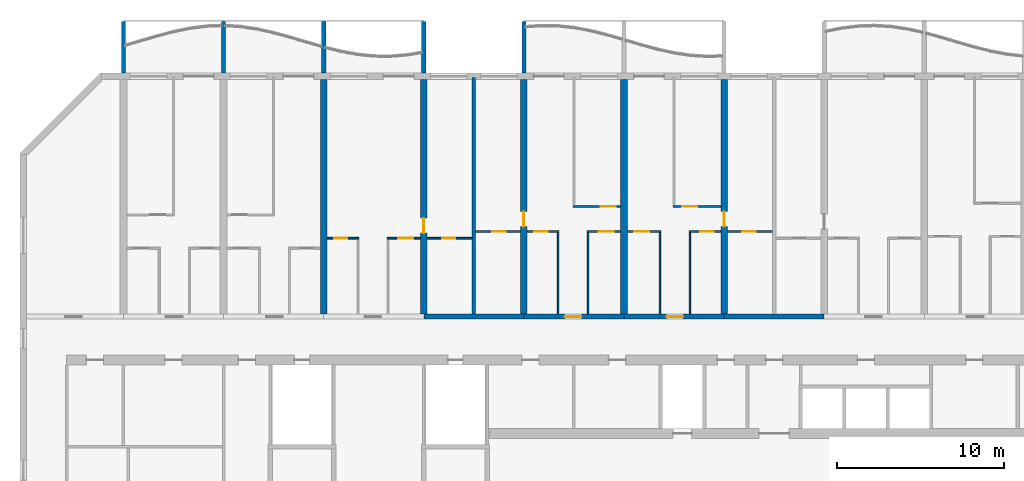
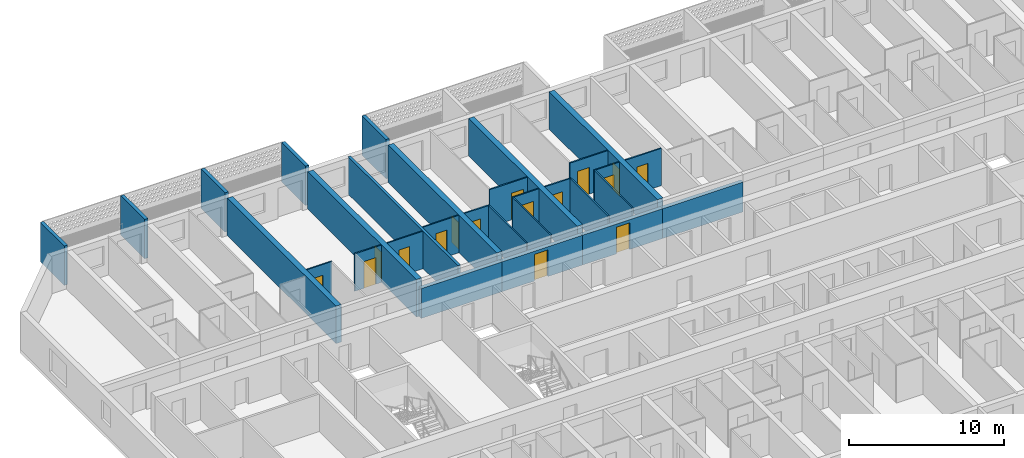
# One storey, part 10 of 39: 30 walls, 16 doors, 16 openings.
"""IFC4 building model written with IfcOpenShell, lengths in metres."""

from ifc_helpers import new_model, si_unit, direction, frame, frame_2d, origin, place, context, subcontext, project, spatial, polyline, rectangle, outline, extrude, source, transform, mapped, material, layer, layer_set, type_object, element, fill, save


model = new_model("IFC4")

# Units and contexts
model_context = context("Model", 3, precision=1e-05, world=origin(), true_north=direction((0.0, 1.0)))
body_context = subcontext(model_context, "Body", "Model", "MODEL_VIEW")
ifc_project = project(units=[si_unit("LENGTHUNIT", "METRE"), si_unit("AREAUNIT", "SQUARE_METRE"), si_unit("VOLUMEUNIT", "CUBIC_METRE"), si_unit("PLANEANGLEUNIT", "RADIAN"), si_unit("MASSUNIT", "GRAM", prefix="KILO")], contexts=[model_context])

# Site, building, storey
site_placement = place(None, origin())
site = spatial("IfcSite", under=ifc_project, at=site_placement, CompositionType="ELEMENT")
building_placement = place(site_placement, origin())
building = spatial("IfcBuilding", under=site, at=building_placement, Name="Poui Terraces", CompositionType="ELEMENT")
storey_placement = place(building_placement, frame((0.0, 0.0, 63.0)))
storey = spatial("IfcBuildingStorey", under=building, at=storey_placement, Name="L17", CompositionType="ELEMENT", Elevation=63.0)

# Wall
ifc_material_1 = material(Name="Concrete 80 MPa", Category="concrete")
ifc_layer_1 = layer(ifc_material_1, 0.300048828125)
ifc_layer_set_1 = layer_set([ifc_layer_1], Name="Concrete 80 MPa")
wall_type_1 = type_object("IfcWallType", Name="CORRIDOR WALL 300 80MPa", PredefinedType="SHEAR", material=ifc_layer_set_1)
wall_1_placement = place(storey_placement, frame((30.0, 30.39990234375, 0.0), z_axis=(0.0, 0.0, 1.0), x_axis=(1.0, 0.0, 0.0)))
element("IfcWall", 1, at=wall_1_placement, inside=storey, type_object=wall_type_1, Name="CORRIDOR WALL LINE E BAY 5", PredefinedType="SHEAR", context=body_context, shape_type="SweptSolid", body=[
    extrude(rectangle(XDim=6.0, YDim=0.300048828125, at=frame_2d((3.0, 0.0))), origin(), (0.0, 0.0, 1.0), 2.35009765625),
])

# Wall, opening, door
wall_2_placement = place(storey_placement, frame((36.0, 30.39990234375, 0.0), z_axis=(0.0, 0.0, 1.0), x_axis=(1.0, 0.0, 0.0)))
wall_2 = element("IfcWall", 2, at=wall_2_placement, inside=storey, type_object=wall_type_1, Name="CORRIDOR WALL LINE E BAY 6", PredefinedType="SHEAR", context=body_context, shape_type="SweptSolid", body=[
    extrude(rectangle(XDim=6.0, YDim=0.300048828125, at=frame_2d((3.0, 0.0))), origin(), (0.0, 0.0, 1.0), 2.35009765625),
])
opening_1_placement = place(wall_2_placement, frame((2.449951171875, 0.0, 0.0)))
opening_1 = element("IfcOpeningElement", 3, at=opening_1_placement, cuts=wall_2, Name="Opening FD30S", PredefinedType="OPENING", context=body_context, shape_type="SweptSolid", body=[
    extrude(rectangle(XDim=1.0, YDim=2.10009765625, at=frame_2d((0.5, 1.050048828125))), frame((0.0, 0.16015625, 0.0), z_axis=(0.0, -1.0, 0.0), x_axis=(1.0, 0.0, 0.0)), (0.0, 0.0, 1.0), 0.320068359375),
])
ifc_material_2 = material(Name="Steel fire door", Category="steel")
door_type_1 = type_object("IfcDoorType", Name="FLAT ENTRANCE DOOR 1000 X 2100", OperationType="NOTDEFINED", PredefinedType="DOOR", material=ifc_material_2)
door_1_placement = place(opening_1_placement, origin())
door_1 = element("IfcDoor", 4, at=door_1_placement, inside=storey, type_object=door_type_1, Name="FLAT ENTRANCE DOOR 049", OperationType="SINGLE_SWING_LEFT", OverallHeight=2.10009765625, OverallWidth=1.0, PredefinedType="DOOR", context=body_context, shape_type="SweptSolid", body=[
    extrude(rectangle(XDim=1.0, YDim=2.10009765625, at=frame_2d((0.5, 1.050048828125))), frame((0.0, 0.02490234375, 0.0), z_axis=(0.0, -1.0, 0.0), x_axis=(1.0, 0.0, 0.0)), (0.0, 0.0, 1.0), 0.050048828125),
])
fill(opening_1, door_1)

wall_3_placement = place(storey_placement, frame((42.0, 30.39990234375, 0.0), z_axis=(0.0, 0.0, 1.0), x_axis=(1.0, 0.0, 0.0)))
wall_3 = element("IfcWall", 5, at=wall_3_placement, inside=storey, type_object=wall_type_1, Name="CORRIDOR WALL LINE E BAY 7", PredefinedType="SHEAR", context=body_context, shape_type="SweptSolid", body=[
    extrude(rectangle(XDim=6.0, YDim=0.300048828125, at=frame_2d((3.0, 0.0))), origin(), (0.0, 0.0, 1.0), 2.35009765625),
])
opening_2_placement = place(wall_3_placement, frame((2.550048828125, 0.0, 0.0)))
opening_2 = element("IfcOpeningElement", 6, at=opening_2_placement, cuts=wall_3, Name="Opening FD30S", PredefinedType="OPENING", context=body_context, shape_type="SweptSolid", body=[
    extrude(rectangle(XDim=1.0, YDim=2.10009765625, at=frame_2d((0.5, 1.050048828125))), frame((0.0, 0.16015625, 0.0), z_axis=(0.0, -1.0, 0.0), x_axis=(1.0, 0.0, 0.0)), (0.0, 0.0, 1.0), 0.320068359375),
])
door_2_placement = place(opening_2_placement, origin())
door_2 = element("IfcDoor", 7, at=door_2_placement, inside=storey, type_object=door_type_1, Name="FLAT ENTRANCE DOOR 054", OperationType="SINGLE_SWING_RIGHT", OverallHeight=2.10009765625, OverallWidth=1.0, PredefinedType="DOOR", context=body_context, shape_type="SweptSolid", body=[
    extrude(rectangle(XDim=1.0, YDim=2.10009765625, at=frame_2d((0.5, 1.050048828125))), frame((0.0, 0.02490234375, 0.0), z_axis=(0.0, -1.0, 0.0), x_axis=(1.0, 0.0, 0.0)), (0.0, 0.0, 1.0), 0.050048828125),
])
fill(opening_2, door_2)

# Walls
wall_4_placement = place(storey_placement, frame((48.0, 30.39990234375, 0.0), z_axis=(0.0, 0.0, 1.0), x_axis=(1.0, 0.0, 0.0)))
element("IfcWall", 8, at=wall_4_placement, inside=storey, type_object=wall_type_1, Name="CORRIDOR WALL LINE E BAY 8", PredefinedType="SHEAR", context=body_context, shape_type="SweptSolid", body=[
    extrude(rectangle(XDim=6.0, YDim=0.300048828125, at=frame_2d((3.0, 0.0))), origin(), (0.0, 0.0, 1.0), 2.35009765625),
])
ifc_layer_2 = layer(ifc_material_1, 0.39990234375)
ifc_layer_set_2 = layer_set([ifc_layer_2], Name="Concrete 80 MPa")
wall_type_2 = type_object("IfcWallType", Name="CROSS WALL 400 80MPa", PredefinedType="SHEAR", material=ifc_layer_set_2)
wall_5_placement = place(storey_placement, frame((24.0, 30.550048828125, 0.0), z_axis=(0.0, 0.0, 1.0), x_axis=(0.0, 1.0, 0.0)))
element("IfcWall", 9, at=wall_5_placement, inside=storey, type_object=wall_type_2, Name="CROSS WALL LINE 5 NORTH", PredefinedType="SHEAR", context=body_context, shape_type="SweptSolid", body=[
    extrude(rectangle(XDim=14.050048828125, YDim=0.39990234375, at=frame_2d((7.02490234375, 0.0))), origin(), (0.0, 0.0, 1.0), 2.949951171875),
])

# Wall, opening, door
wall_6_placement = place(storey_placement, frame((30.0, 30.550048828125, 0.0), z_axis=(0.0, 0.0, 1.0), x_axis=(0.0, 1.0, 0.0)))
wall_6 = element("IfcWall", 10, at=wall_6_placement, inside=storey, type_object=wall_type_2, Name="CROSS WALL LINE 6 NORTH", PredefinedType="SHEAR", context=body_context, shape_type="SweptSolid", body=[
    extrude(rectangle(XDim=14.050048828125, YDim=0.39990234375, at=frame_2d((7.02490234375, 0.0))), origin(), (0.0, 0.0, 1.0), 2.949951171875),
])
opening_3_placement = place(wall_6_placement, frame((4.85009765625, 0.0, 0.0)))
opening_3 = element("IfcOpeningElement", 11, at=opening_3_placement, cuts=wall_6, Name="Opening D90", PredefinedType="OPENING", context=body_context, shape_type="SweptSolid", body=[
    extrude(rectangle(XDim=0.89990234375, YDim=2.10009765625, at=frame_2d((0.449951171875, 1.050048828125))), frame((0.0, 0.2099609375, 0.0), z_axis=(0.0, -1.0, 0.0), x_axis=(1.0, 0.0, 0.0)), (0.0, 0.0, 1.0), 0.419921875),
])
ifc_material_3 = material(Name="Solid core timber door", Category="wood")
door_type_2 = type_object("IfcDoorType", Name="INTERNAL DOOR 900 X 2100", OperationType="NOTDEFINED", PredefinedType="DOOR", material=ifc_material_3)
door_3_placement = place(opening_3_placement, frame((0.89990234375, 0.0, 0.0), z_axis=(0.0, 0.0, 1.0), x_axis=(-1.0, 0.0, 0.0)))
door_3 = element("IfcDoor", 12, at=door_3_placement, inside=storey, type_object=door_type_2, Name="INTERNAL DOOR 045", OperationType="SINGLE_SWING_RIGHT", OverallHeight=2.10009765625, OverallWidth=0.89990234375, PredefinedType="DOOR", context=body_context, shape_type="SweptSolid", body=[
    extrude(rectangle(XDim=0.89990234375, YDim=2.10009765625, at=frame_2d((0.449951171875, 1.050048828125))), frame((0.0, 0.02490234375, 0.0), z_axis=(0.0, -1.0, 0.0), x_axis=(1.0, 0.0, 0.0)), (0.0, 0.0, 1.0), 0.050048828125),
])
fill(opening_3, door_3)

wall_7_placement = place(storey_placement, frame((36.0, 30.550048828125, 0.0), z_axis=(0.0, 0.0, 1.0), x_axis=(0.0, 1.0, 0.0)))
wall_7 = element("IfcWall", 13, at=wall_7_placement, inside=storey, type_object=wall_type_2, Name="CROSS WALL LINE 7 NORTH", PredefinedType="SHEAR", context=body_context, shape_type="SweptSolid", body=[
    extrude(rectangle(XDim=14.050048828125, YDim=0.39990234375, at=frame_2d((7.02490234375, 0.0))), origin(), (0.0, 0.0, 1.0), 2.949951171875),
])
opening_4_placement = place(wall_7_placement, frame((5.25, 0.0, 0.0)))
opening_4 = element("IfcOpeningElement", 14, at=opening_4_placement, cuts=wall_7, Name="Opening D90", PredefinedType="OPENING", context=body_context, shape_type="SweptSolid", body=[
    extrude(rectangle(XDim=0.89990234375, YDim=2.10009765625, at=frame_2d((0.449951171875, 1.050048828125))), frame((0.0, 0.2099609375, 0.0), z_axis=(0.0, -1.0, 0.0), x_axis=(1.0, 0.0, 0.0)), (0.0, 0.0, 1.0), 0.419921875),
])
door_4_placement = place(opening_4_placement, origin())
door_4 = element("IfcDoor", 15, at=door_4_placement, inside=storey, type_object=door_type_2, Name="INTERNAL DOOR 047", OperationType="SINGLE_SWING_LEFT", OverallHeight=2.10009765625, OverallWidth=0.89990234375, PredefinedType="DOOR", context=body_context, shape_type="SweptSolid", body=[
    extrude(rectangle(XDim=0.89990234375, YDim=2.10009765625, at=frame_2d((0.449951171875, 1.050048828125))), frame((0.0, 0.02490234375, 0.0), z_axis=(0.0, -1.0, 0.0), x_axis=(1.0, 0.0, 0.0)), (0.0, 0.0, 1.0), 0.050048828125),
])
fill(opening_4, door_4)

# Wall
wall_8_placement = place(storey_placement, frame((42.0, 30.550048828125, 0.0), z_axis=(0.0, 0.0, 1.0), x_axis=(0.0, 1.0, 0.0)))
element("IfcWall", 16, at=wall_8_placement, inside=storey, type_object=wall_type_2, Name="CROSS WALL LINE 8 NORTH", PredefinedType="SHEAR", context=body_context, shape_type="SweptSolid", body=[
    extrude(rectangle(XDim=14.050048828125, YDim=0.39990234375, at=frame_2d((7.02490234375, 0.0))), origin(), (0.0, 0.0, 1.0), 2.949951171875),
])

# Wall, opening, door
wall_9_placement = place(storey_placement, frame((48.0, 30.550048828125, 0.0), z_axis=(0.0, 0.0, 1.0), x_axis=(0.0, 1.0, 0.0)))
wall_9 = element("IfcWall", 17, at=wall_9_placement, inside=storey, type_object=wall_type_2, Name="CROSS WALL LINE 9 NORTH", PredefinedType="SHEAR", context=body_context, shape_type="SweptSolid", body=[
    extrude(rectangle(XDim=14.050048828125, YDim=0.39990234375, at=frame_2d((7.02490234375, 0.0))), origin(), (0.0, 0.0, 1.0), 2.949951171875),
])
opening_5_placement = place(wall_9_placement, frame((5.25, 0.0, 0.0)))
opening_5 = element("IfcOpeningElement", 18, at=opening_5_placement, cuts=wall_9, Name="Opening D90", PredefinedType="OPENING", context=body_context, shape_type="SweptSolid", body=[
    extrude(rectangle(XDim=0.89990234375, YDim=2.10009765625, at=frame_2d((0.449951171875, 1.050048828125))), frame((0.0, 0.2099609375, 0.0), z_axis=(0.0, -1.0, 0.0), x_axis=(1.0, 0.0, 0.0)), (0.0, 0.0, 1.0), 0.419921875),
])
door_5_placement = place(opening_5_placement, frame((0.89990234375, 0.0, 0.0), z_axis=(0.0, 0.0, 1.0), x_axis=(-1.0, 0.0, 0.0)))
door_5 = element("IfcDoor", 19, at=door_5_placement, inside=storey, type_object=door_type_2, Name="INTERNAL DOOR 057", OperationType="SINGLE_SWING_RIGHT", OverallHeight=2.10009765625, OverallWidth=0.89990234375, PredefinedType="DOOR", context=body_context, shape_type="SweptSolid", body=[
    extrude(rectangle(XDim=0.89990234375, YDim=2.10009765625, at=frame_2d((0.449951171875, 1.050048828125))), frame((0.0, 0.02490234375, 0.0), z_axis=(0.0, -1.0, 0.0), x_axis=(1.0, 0.0, 0.0)), (0.0, 0.0, 1.0), 0.050048828125),
])
fill(opening_5, door_5)

ifc_material_4 = material(Name="Plasterboard partition")
ifc_layer_3 = layer(ifc_material_4, 0.10009765625)
ifc_layer_set_3 = layer_set([ifc_layer_3], Name="Plasterboard partition")
wall_type_3 = type_object("IfcWallType", Name="FLAT PARTITION 100", PredefinedType="PARTITIONING", material=ifc_layer_set_3)
wall_10_placement = place(storey_placement, frame((24.2099609375, 35.10009765625, 0.0), z_axis=(0.0, 0.0, 1.0), x_axis=(1.0, 0.0, 0.0)))
wall_10 = element("IfcWall", 20, at=wall_10_placement, inside=storey, type_object=wall_type_3, Name="FLAT PARTITION 100", PredefinedType="PARTITIONING", context=body_context, shape_type="SweptSolid", body=[
    extrude(rectangle(XDim=1.89013671875, YDim=0.10009765625, at=frame_2d((0.945068359375, 0.0))), origin(), (0.0, 0.0, 1.0), 2.949951171875),
])
opening_6_placement = place(wall_10_placement, frame((0.4150390625, 0.0, 0.0)))
opening_6 = element("IfcOpeningElement", 21, at=opening_6_placement, cuts=wall_10, Name="Opening D80", PredefinedType="OPENING", context=body_context, shape_type="SweptSolid", body=[
    extrude(rectangle(XDim=0.800048828125, YDim=2.10009765625, at=frame_2d((0.39990234375, 1.050048828125))), frame((0.0, 0.06005859375, 0.0), z_axis=(0.0, -1.0, 0.0), x_axis=(1.0, 0.0, 0.0)), (0.0, 0.0, 1.0), 0.1201171875),
])
door_type_3 = type_object("IfcDoorType", Name="BATHROOM, LAUNDRY AND STORE DOOR 800 X 2100", OperationType="NOTDEFINED", PredefinedType="DOOR", material=ifc_material_3)
door_6_placement = place(opening_6_placement, frame((0.800048828125, 0.0, 0.0), z_axis=(0.0, 0.0, 1.0), x_axis=(-1.0, 0.0, 0.0)))
door_6 = element("IfcDoor", 22, at=door_6_placement, inside=storey, type_object=door_type_3, Name="BATHROOM, LAUNDRY AND STORE DOOR 042", OperationType="SINGLE_SWING_RIGHT", OverallHeight=2.10009765625, OverallWidth=0.800048828125, PredefinedType="DOOR", context=body_context, shape_type="SweptSolid", body=[
    extrude(rectangle(XDim=0.800048828125, YDim=2.10009765625, at=frame_2d((0.39990234375, 1.050048828125))), frame((0.0, 0.02490234375, 0.0), z_axis=(0.0, -1.0, 0.0), x_axis=(1.0, 0.0, 0.0)), (0.0, 0.0, 1.0), 0.050048828125),
])
fill(opening_6, door_6)

wall_11_placement = place(storey_placement, frame((27.800048828125, 35.10009765625, 0.0), z_axis=(0.0, 0.0, 1.0), x_axis=(1.0, 0.0, 0.0)))
wall_11 = element("IfcWall", 23, at=wall_11_placement, inside=storey, type_object=wall_type_3, Name="FLAT PARTITION 100", PredefinedType="PARTITIONING", context=body_context, shape_type="SweptSolid", body=[
    extrude(rectangle(XDim=1.989990234375, YDim=0.10009765625, at=frame_2d((0.9951171875, 0.0))), origin(), (0.0, 0.0, 1.0), 2.949951171875),
])
opening_7_placement = place(wall_11_placement, frame((0.675048828125, 0.0, 0.0)))
opening_7 = element("IfcOpeningElement", 24, at=opening_7_placement, cuts=wall_11, Name="Opening D90", PredefinedType="OPENING", context=body_context, shape_type="SweptSolid", body=[
    extrude(rectangle(XDim=0.89990234375, YDim=2.10009765625, at=frame_2d((0.449951171875, 1.050048828125))), frame((0.0, 0.06005859375, 0.0), z_axis=(0.0, -1.0, 0.0), x_axis=(1.0, 0.0, 0.0)), (0.0, 0.0, 1.0), 0.1201171875),
])
door_7_placement = place(opening_7_placement, frame((0.89990234375, 0.0, 0.0), z_axis=(0.0, 0.0, 1.0), x_axis=(-1.0, 0.0, 0.0)))
door_7 = element("IfcDoor", 25, at=door_7_placement, inside=storey, type_object=door_type_2, Name="INTERNAL DOOR 044", OperationType="SINGLE_SWING_LEFT", OverallHeight=2.10009765625, OverallWidth=0.89990234375, PredefinedType="DOOR", context=body_context, shape_type="SweptSolid", body=[
    extrude(rectangle(XDim=0.89990234375, YDim=2.10009765625, at=frame_2d((0.449951171875, 1.050048828125))), frame((0.0, 0.02490234375, 0.0), z_axis=(0.0, -1.0, 0.0), x_axis=(1.0, 0.0, 0.0)), (0.0, 0.0, 1.0), 0.050048828125),
])
fill(opening_7, door_7)

wall_12_placement = place(storey_placement, frame((30.2099609375, 35.10009765625, 0.0), z_axis=(0.0, 0.0, 1.0), x_axis=(1.0, 0.0, 0.0)))
wall_12 = element("IfcWall", 26, at=wall_12_placement, inside=storey, type_object=wall_type_3, Name="FLAT PARTITION 100", PredefinedType="PARTITIONING", context=body_context, shape_type="SweptSolid", body=[
    extrude(rectangle(XDim=2.68994140625, YDim=0.10009765625, at=frame_2d((1.344970703125, 0.0))), origin(), (0.0, 0.0, 1.0), 2.949951171875),
])
opening_8_placement = place(wall_12_placement, frame((0.889892578125, 0.0, 0.0)))
opening_8 = element("IfcOpeningElement", 27, at=opening_8_placement, cuts=wall_12, Name="Opening D80", PredefinedType="OPENING", context=body_context, shape_type="SweptSolid", body=[
    extrude(rectangle(XDim=0.800048828125, YDim=2.10009765625, at=frame_2d((0.39990234375, 1.050048828125))), frame((0.0, 0.06005859375, 0.0), z_axis=(0.0, -1.0, 0.0), x_axis=(1.0, 0.0, 0.0)), (0.0, 0.0, 1.0), 0.1201171875),
])
door_8_placement = place(opening_8_placement, frame((0.800048828125, 0.0, 0.0), z_axis=(0.0, 0.0, 1.0), x_axis=(-1.0, 0.0, 0.0)))
door_8 = element("IfcDoor", 28, at=door_8_placement, inside=storey, type_object=door_type_3, Name="BATHROOM, LAUNDRY AND STORE DOOR 041", OperationType="SINGLE_SWING_LEFT", OverallHeight=2.10009765625, OverallWidth=0.800048828125, PredefinedType="DOOR", context=body_context, shape_type="SweptSolid", body=[
    extrude(rectangle(XDim=0.800048828125, YDim=2.10009765625, at=frame_2d((0.39990234375, 1.050048828125))), frame((0.0, 0.02490234375, 0.0), z_axis=(0.0, -1.0, 0.0), x_axis=(1.0, 0.0, 0.0)), (0.0, 0.0, 1.0), 0.050048828125),
])
fill(opening_8, door_8)

wall_13_placement = place(storey_placement, frame((33.10009765625, 35.5, 0.0), z_axis=(0.0, 0.0, 1.0), x_axis=(1.0, 0.0, 0.0)))
wall_13 = element("IfcWall", 29, at=wall_13_placement, inside=storey, type_object=wall_type_3, Name="FLAT PARTITION 100", PredefinedType="PARTITIONING", context=body_context, shape_type="SweptSolid", body=[
    extrude(rectangle(XDim=2.68994140625, YDim=0.10009765625, at=frame_2d((1.344970703125, 0.0))), origin(), (0.0, 0.0, 1.0), 2.949951171875),
])
opening_9_placement = place(wall_13_placement, frame((1.0, 0.0, 0.0)))
opening_9 = element("IfcOpeningElement", 30, at=opening_9_placement, cuts=wall_13, Name="Opening D80", PredefinedType="OPENING", context=body_context, shape_type="SweptSolid", body=[
    extrude(rectangle(XDim=0.800048828125, YDim=2.10009765625, at=frame_2d((0.39990234375, 1.050048828125))), frame((0.0, 0.06005859375, 0.0), z_axis=(0.0, -1.0, 0.0), x_axis=(1.0, 0.0, 0.0)), (0.0, 0.0, 1.0), 0.1201171875),
])
door_9_placement = place(opening_9_placement, frame((0.800048828125, 0.0, 0.0), z_axis=(0.0, 0.0, 1.0), x_axis=(-1.0, 0.0, 0.0)))
door_9 = element("IfcDoor", 31, at=door_9_placement, inside=storey, type_object=door_type_3, Name="BATHROOM, LAUNDRY AND STORE DOOR 046", OperationType="SINGLE_SWING_RIGHT", OverallHeight=2.10009765625, OverallWidth=0.800048828125, PredefinedType="DOOR", context=body_context, shape_type="SweptSolid", body=[
    extrude(rectangle(XDim=0.800048828125, YDim=2.10009765625, at=frame_2d((0.39990234375, 1.050048828125))), frame((0.0, 0.02490234375, 0.0), z_axis=(0.0, -1.0, 0.0), x_axis=(1.0, 0.0, 0.0)), (0.0, 0.0, 1.0), 0.050048828125),
])
fill(opening_9, door_9)

wall_14_placement = place(storey_placement, frame((36.2099609375, 35.5, 0.0), z_axis=(0.0, 0.0, 1.0), x_axis=(1.0, 0.0, 0.0)))
wall_14 = element("IfcWall", 32, at=wall_14_placement, inside=storey, type_object=wall_type_3, Name="FLAT PARTITION 100", PredefinedType="PARTITIONING", context=body_context, shape_type="SweptSolid", body=[
    extrude(rectangle(XDim=1.89013671875, YDim=0.10009765625, at=frame_2d((0.945068359375, 0.0))), origin(), (0.0, 0.0, 1.0), 2.949951171875),
])
opening_10_placement = place(wall_14_placement, frame((0.4150390625, 0.0, 0.0)))
opening_10 = element("IfcOpeningElement", 33, at=opening_10_placement, cuts=wall_14, Name="Opening D80", PredefinedType="OPENING", context=body_context, shape_type="SweptSolid", body=[
    extrude(rectangle(XDim=0.800048828125, YDim=2.10009765625, at=frame_2d((0.39990234375, 1.050048828125))), frame((0.0, 0.06005859375, 0.0), z_axis=(0.0, -1.0, 0.0), x_axis=(1.0, 0.0, 0.0)), (0.0, 0.0, 1.0), 0.1201171875),
])
door_10_placement = place(opening_10_placement, frame((0.800048828125, 0.0, 0.0), z_axis=(0.0, 0.0, 1.0), x_axis=(-1.0, 0.0, 0.0)))
door_10 = element("IfcDoor", 34, at=door_10_placement, inside=storey, type_object=door_type_3, Name="BATHROOM, LAUNDRY AND STORE DOOR 048", OperationType="SINGLE_SWING_RIGHT", OverallHeight=2.10009765625, OverallWidth=0.800048828125, PredefinedType="DOOR", context=body_context, shape_type="SweptSolid", body=[
    extrude(rectangle(XDim=0.800048828125, YDim=2.10009765625, at=frame_2d((0.39990234375, 1.050048828125))), frame((0.0, 0.02490234375, 0.0), z_axis=(0.0, -1.0, 0.0), x_axis=(1.0, 0.0, 0.0)), (0.0, 0.0, 1.0), 0.050048828125),
])
fill(opening_10, door_10)

wall_15_placement = place(storey_placement, frame((39.800048828125, 35.5, 0.0), z_axis=(0.0, 0.0, 1.0), x_axis=(1.0, 0.0, 0.0)))
wall_15 = element("IfcWall", 35, at=wall_15_placement, inside=storey, type_object=wall_type_3, Name="FLAT PARTITION 100", PredefinedType="PARTITIONING", context=body_context, shape_type="SweptSolid", body=[
    extrude(rectangle(XDim=1.989990234375, YDim=0.10009765625, at=frame_2d((0.9951171875, 0.0))), origin(), (0.0, 0.0, 1.0), 2.949951171875),
])
opening_11_placement = place(wall_15_placement, frame((0.675048828125, 0.0, 0.0)))
opening_11 = element("IfcOpeningElement", 36, at=opening_11_placement, cuts=wall_15, Name="Opening D90", PredefinedType="OPENING", context=body_context, shape_type="SweptSolid", body=[
    extrude(rectangle(XDim=0.89990234375, YDim=2.10009765625, at=frame_2d((0.449951171875, 1.050048828125))), frame((0.0, 0.06005859375, 0.0), z_axis=(0.0, -1.0, 0.0), x_axis=(1.0, 0.0, 0.0)), (0.0, 0.0, 1.0), 0.1201171875),
])
door_11_placement = place(opening_11_placement, frame((0.89990234375, 0.0, 0.0), z_axis=(0.0, 0.0, 1.0), x_axis=(-1.0, 0.0, 0.0)))
door_11 = element("IfcDoor", 37, at=door_11_placement, inside=storey, type_object=door_type_2, Name="INTERNAL DOOR 050", OperationType="SINGLE_SWING_LEFT", OverallHeight=2.10009765625, OverallWidth=0.89990234375, PredefinedType="DOOR", context=body_context, shape_type="SweptSolid", body=[
    extrude(rectangle(XDim=0.89990234375, YDim=2.10009765625, at=frame_2d((0.449951171875, 1.050048828125))), frame((0.0, 0.02490234375, 0.0), z_axis=(0.0, -1.0, 0.0), x_axis=(1.0, 0.0, 0.0)), (0.0, 0.0, 1.0), 0.050048828125),
])
fill(opening_11, door_11)

wall_16_placement = place(storey_placement, frame((42.2099609375, 35.5, 0.0), z_axis=(0.0, 0.0, 1.0), x_axis=(1.0, 0.0, 0.0)))
wall_16 = element("IfcWall", 38, at=wall_16_placement, inside=storey, type_object=wall_type_3, Name="FLAT PARTITION 100", PredefinedType="PARTITIONING", context=body_context, shape_type="SweptSolid", body=[
    extrude(rectangle(XDim=1.989990234375, YDim=0.10009765625, at=frame_2d((0.9951171875, 0.0))), origin(), (0.0, 0.0, 1.0), 2.949951171875),
])
opening_12_placement = place(wall_16_placement, frame((0.4150390625, 0.0, 0.0)))
opening_12 = element("IfcOpeningElement", 39, at=opening_12_placement, cuts=wall_16, Name="Opening D90", PredefinedType="OPENING", context=body_context, shape_type="SweptSolid", body=[
    extrude(rectangle(XDim=0.89990234375, YDim=2.10009765625, at=frame_2d((0.449951171875, 1.050048828125))), frame((0.0, 0.06005859375, 0.0), z_axis=(0.0, -1.0, 0.0), x_axis=(1.0, 0.0, 0.0)), (0.0, 0.0, 1.0), 0.1201171875),
])
door_12_placement = place(opening_12_placement, frame((0.89990234375, 0.0, 0.0), z_axis=(0.0, 0.0, 1.0), x_axis=(-1.0, 0.0, 0.0)))
door_12 = element("IfcDoor", 40, at=door_12_placement, inside=storey, type_object=door_type_2, Name="INTERNAL DOOR 053", OperationType="SINGLE_SWING_LEFT", OverallHeight=2.10009765625, OverallWidth=0.89990234375, PredefinedType="DOOR", context=body_context, shape_type="SweptSolid", body=[
    extrude(rectangle(XDim=0.89990234375, YDim=2.10009765625, at=frame_2d((0.449951171875, 1.050048828125))), frame((0.0, 0.02490234375, 0.0), z_axis=(0.0, -1.0, 0.0), x_axis=(1.0, 0.0, 0.0)), (0.0, 0.0, 1.0), 0.050048828125),
])
fill(opening_12, door_12)

wall_17_placement = place(storey_placement, frame((45.89990234375, 35.5, 0.0), z_axis=(0.0, 0.0, 1.0), x_axis=(1.0, 0.0, 0.0)))
wall_17 = element("IfcWall", 41, at=wall_17_placement, inside=storey, type_object=wall_type_3, Name="FLAT PARTITION 100", PredefinedType="PARTITIONING", context=body_context, shape_type="SweptSolid", body=[
    extrude(rectangle(XDim=1.89013671875, YDim=0.10009765625, at=frame_2d((0.945068359375, 0.0))), origin(), (0.0, 0.0, 1.0), 2.949951171875),
])
opening_13_placement = place(wall_17_placement, frame((0.675048828125, 0.0, 0.0)))
opening_13 = element("IfcOpeningElement", 42, at=opening_13_placement, cuts=wall_17, Name="Opening D80", PredefinedType="OPENING", context=body_context, shape_type="SweptSolid", body=[
    extrude(rectangle(XDim=0.800048828125, YDim=2.10009765625, at=frame_2d((0.39990234375, 1.050048828125))), frame((0.0, 0.06005859375, 0.0), z_axis=(0.0, -1.0, 0.0), x_axis=(1.0, 0.0, 0.0)), (0.0, 0.0, 1.0), 0.1201171875),
])
door_13_placement = place(opening_13_placement, frame((0.800048828125, 0.0, 0.0), z_axis=(0.0, 0.0, 1.0), x_axis=(-1.0, 0.0, 0.0)))
door_13 = element("IfcDoor", 43, at=door_13_placement, inside=storey, type_object=door_type_3, Name="BATHROOM, LAUNDRY AND STORE DOOR 056", OperationType="SINGLE_SWING_RIGHT", OverallHeight=2.10009765625, OverallWidth=0.800048828125, PredefinedType="DOOR", context=body_context, shape_type="SweptSolid", body=[
    extrude(rectangle(XDim=0.800048828125, YDim=2.10009765625, at=frame_2d((0.39990234375, 1.050048828125))), frame((0.0, 0.02490234375, 0.0), z_axis=(0.0, -1.0, 0.0), x_axis=(1.0, 0.0, 0.0)), (0.0, 0.0, 1.0), 0.050048828125),
])
fill(opening_13, door_13)

wall_18_placement = place(storey_placement, frame((48.2099609375, 35.5, 0.0), z_axis=(0.0, 0.0, 1.0), x_axis=(1.0, 0.0, 0.0)))
wall_18 = element("IfcWall", 44, at=wall_18_placement, inside=storey, type_object=wall_type_3, Name="FLAT PARTITION 100", PredefinedType="PARTITIONING", context=body_context, shape_type="SweptSolid", body=[
    extrude(rectangle(XDim=2.68994140625, YDim=0.10009765625, at=frame_2d((1.344970703125, 0.0))), origin(), (0.0, 0.0, 1.0), 2.949951171875),
])
opening_14_placement = place(wall_18_placement, frame((0.889892578125, 0.0, 0.0)))
opening_14 = element("IfcOpeningElement", 45, at=opening_14_placement, cuts=wall_18, Name="Opening D80", PredefinedType="OPENING", context=body_context, shape_type="SweptSolid", body=[
    extrude(rectangle(XDim=0.800048828125, YDim=2.10009765625, at=frame_2d((0.39990234375, 1.050048828125))), frame((0.0, 0.06005859375, 0.0), z_axis=(0.0, -1.0, 0.0), x_axis=(1.0, 0.0, 0.0)), (0.0, 0.0, 1.0), 0.1201171875),
])
door_14_placement = place(opening_14_placement, frame((0.800048828125, 0.0, 0.0), z_axis=(0.0, 0.0, 1.0), x_axis=(-1.0, 0.0, 0.0)))
door_14 = element("IfcDoor", 46, at=door_14_placement, inside=storey, type_object=door_type_3, Name="BATHROOM, LAUNDRY AND STORE DOOR 052", OperationType="SINGLE_SWING_LEFT", OverallHeight=2.10009765625, OverallWidth=0.800048828125, PredefinedType="DOOR", context=body_context, shape_type="SweptSolid", body=[
    extrude(rectangle(XDim=0.800048828125, YDim=2.10009765625, at=frame_2d((0.39990234375, 1.050048828125))), frame((0.0, 0.02490234375, 0.0), z_axis=(0.0, -1.0, 0.0), x_axis=(1.0, 0.0, 0.0)), (0.0, 0.0, 1.0), 0.050048828125),
])
fill(opening_14, door_14)

wall_19_placement = place(storey_placement, frame((38.949951171875, 37.0, 0.0), z_axis=(0.0, 0.0, 1.0), x_axis=(1.0, 0.0, 0.0)))
wall_19 = element("IfcWall", 47, at=wall_19_placement, inside=storey, type_object=wall_type_3, Name="FLAT PARTITION 100", PredefinedType="PARTITIONING", context=body_context, shape_type="SweptSolid", body=[
    extrude(rectangle(XDim=2.840087890625, YDim=0.10009765625, at=frame_2d((1.419921875, 0.0))), origin(), (0.0, 0.0, 1.0), 2.949951171875),
])
opening_15_placement = place(wall_19_placement, frame((1.64990234375, 0.0, 0.0)))
opening_15 = element("IfcOpeningElement", 48, at=opening_15_placement, cuts=wall_19, Name="Opening D90", PredefinedType="OPENING", context=body_context, shape_type="SweptSolid", body=[
    extrude(rectangle(XDim=0.89990234375, YDim=2.10009765625, at=frame_2d((0.449951171875, 1.050048828125))), frame((0.0, 0.06005859375, 0.0), z_axis=(0.0, -1.0, 0.0), x_axis=(1.0, 0.0, 0.0)), (0.0, 0.0, 1.0), 0.1201171875),
])
door_15_placement = place(opening_15_placement, frame((0.89990234375, 0.0, 0.0), z_axis=(0.0, 0.0, 1.0), x_axis=(-1.0, 0.0, 0.0)))
door_15 = element("IfcDoor", 49, at=door_15_placement, inside=storey, type_object=door_type_2, Name="INTERNAL DOOR 051", OperationType="SINGLE_SWING_RIGHT", OverallHeight=2.10009765625, OverallWidth=0.89990234375, PredefinedType="DOOR", context=body_context, shape_type="SweptSolid", body=[
    extrude(rectangle(XDim=0.89990234375, YDim=2.10009765625, at=frame_2d((0.449951171875, 1.050048828125))), frame((0.0, 0.02490234375, 0.0), z_axis=(0.0, -1.0, 0.0), x_axis=(1.0, 0.0, 0.0)), (0.0, 0.0, 1.0), 0.050048828125),
])
fill(opening_15, door_15)

wall_20_placement = place(storey_placement, frame((44.949951171875, 37.0, 0.0), z_axis=(0.0, 0.0, 1.0), x_axis=(1.0, 0.0, 0.0)))
wall_20 = element("IfcWall", 50, at=wall_20_placement, inside=storey, type_object=wall_type_3, Name="FLAT PARTITION 100", PredefinedType="PARTITIONING", context=body_context, shape_type="SweptSolid", body=[
    extrude(rectangle(XDim=2.840087890625, YDim=0.10009765625, at=frame_2d((1.419921875, 0.0))), origin(), (0.0, 0.0, 1.0), 2.949951171875),
])
opening_16_placement = place(wall_20_placement, frame((0.550048828125, 0.0, 0.0)))
opening_16 = element("IfcOpeningElement", 51, at=opening_16_placement, cuts=wall_20, Name="Opening D90", PredefinedType="OPENING", context=body_context, shape_type="SweptSolid", body=[
    extrude(rectangle(XDim=0.89990234375, YDim=2.10009765625, at=frame_2d((0.449951171875, 1.050048828125))), frame((0.0, 0.06005859375, 0.0), z_axis=(0.0, -1.0, 0.0), x_axis=(1.0, 0.0, 0.0)), (0.0, 0.0, 1.0), 0.1201171875),
])
door_16_placement = place(opening_16_placement, frame((0.89990234375, 0.0, 0.0), z_axis=(0.0, 0.0, 1.0), x_axis=(-1.0, 0.0, 0.0)))
door_16 = element("IfcDoor", 52, at=door_16_placement, inside=storey, type_object=door_type_2, Name="INTERNAL DOOR 055", OperationType="SINGLE_SWING_LEFT", OverallHeight=2.10009765625, OverallWidth=0.89990234375, PredefinedType="DOOR", context=body_context, shape_type="SweptSolid", body=[
    extrude(rectangle(XDim=0.89990234375, YDim=2.10009765625, at=frame_2d((0.449951171875, 1.050048828125))), frame((0.0, 0.02490234375, 0.0), z_axis=(0.0, -1.0, 0.0), x_axis=(1.0, 0.0, 0.0)), (0.0, 0.0, 1.0), 0.050048828125),
])
fill(opening_16, door_16)

# Walls
for number, where, z_axis, x_axis, name in (
    (53, (38.050048828125, 30.56005859375, 0.0), (0.0, 0.0, 1.0), (0.0, 1.0, 0.0), "FLAT PARTITION 100"),
    (54, (39.85009765625, 30.56005859375, 0.0), (0.0, 0.0, 1.0), (0.0, 1.0, 0.0), "FLAT PARTITION 100"),
    (55, (44.14990234375, 30.56005859375, 0.0), (0.0, 0.0, 1.0), (0.0, 1.0, 0.0), "FLAT PARTITION 100"),
    (56, (45.949951171875, 30.56005859375, 0.0), (0.0, 0.0, 1.0), (0.0, 1.0, 0.0), "FLAT PARTITION 100"),
):
    element("IfcWall", number, at=place(storey_placement, frame(where, z_axis=z_axis, x_axis=x_axis)), inside=storey, type_object=wall_type_3, Name=name, PredefinedType="PARTITIONING", context=body_context, shape_type="SweptSolid", body=[
        extrude(rectangle(XDim=4.889892578125, YDim=0.10009765625, at=frame_2d((2.44482421875, 0.0))), origin(), (0.0, 0.0, 1.0), 2.949951171875),
    ])
ifc_material_5 = material(Name="Fire-rated masonry wall", Category="masonry")
ifc_layer_4 = layer(ifc_material_5, 0.199951171875)
ifc_layer_set_4 = layer_set([ifc_layer_4], Name="Fire-rated masonry wall")
wall_type_4 = type_object("IfcWallType", Name="FLAT PARTY WALL 200", PredefinedType="PARTITIONING", material=ifc_layer_set_4)
wall_21_placement = place(storey_placement, frame((33.0, 30.56005859375, 0.0), z_axis=(0.0, 0.0, 1.0), x_axis=(0.0, 1.0, 0.0)))
element("IfcWall", 57, at=wall_21_placement, inside=storey, type_object=wall_type_4, Name="FLAT PARTY WALL 200", PredefinedType="PARTITIONING", context=body_context, shape_type="SweptSolid", body=[
    extrude(rectangle(XDim=14.179931640625, YDim=0.199951171875, at=frame_2d((7.08984375, 0.0))), origin(), (0.0, 0.0, 1.0), 2.949951171875),
])
ifc_material_6 = material(Name="Precast concrete 40 MPa", Category="concrete")
ifc_layer_5 = layer(ifc_material_6, 0.25)
ifc_layer_set_5 = layer_set([ifc_layer_5], Name="Precast concrete 40 MPa")
wall_type_5 = type_object("IfcWallType", Name="BALCONY FIN 250", PredefinedType="STANDARD", material=ifc_layer_set_5)
shared_shape = source(origin(), body_context, "Body", "SweptSolid", [
    extrude(outline(polyline([(0.0, 0.0), (0.25, 0.0), (0.25, 3.10009765625), (0.0, 3.10009765625), (0.0, 0.0)])), origin(), (0.0, 0.0, 1.0), 3.10009765625),
])
for number, where, name in (
    (58, (11.875, 45.0, 0.0), "BALCONY FIN"),
    (59, (17.875, 45.0, 0.0), "BALCONY FIN"),
    (60, (23.875, 45.0, 0.0), "BALCONY FIN"),
    (61, (29.875, 45.0, 0.0), "BALCONY FIN"),
    (62, (35.875, 45.0, 0.0), "BALCONY FIN"),
):
    element("IfcWall", number, at=place(storey_placement, frame(where)), inside=storey, type_object=wall_type_5, Name=name, PredefinedType="STANDARD", context=body_context, shape_type="MappedRepresentation", body=[
        mapped(shared_shape, transform((0.0, 0.0, 0.0))),
    ])

save(model, "model.ifc")
